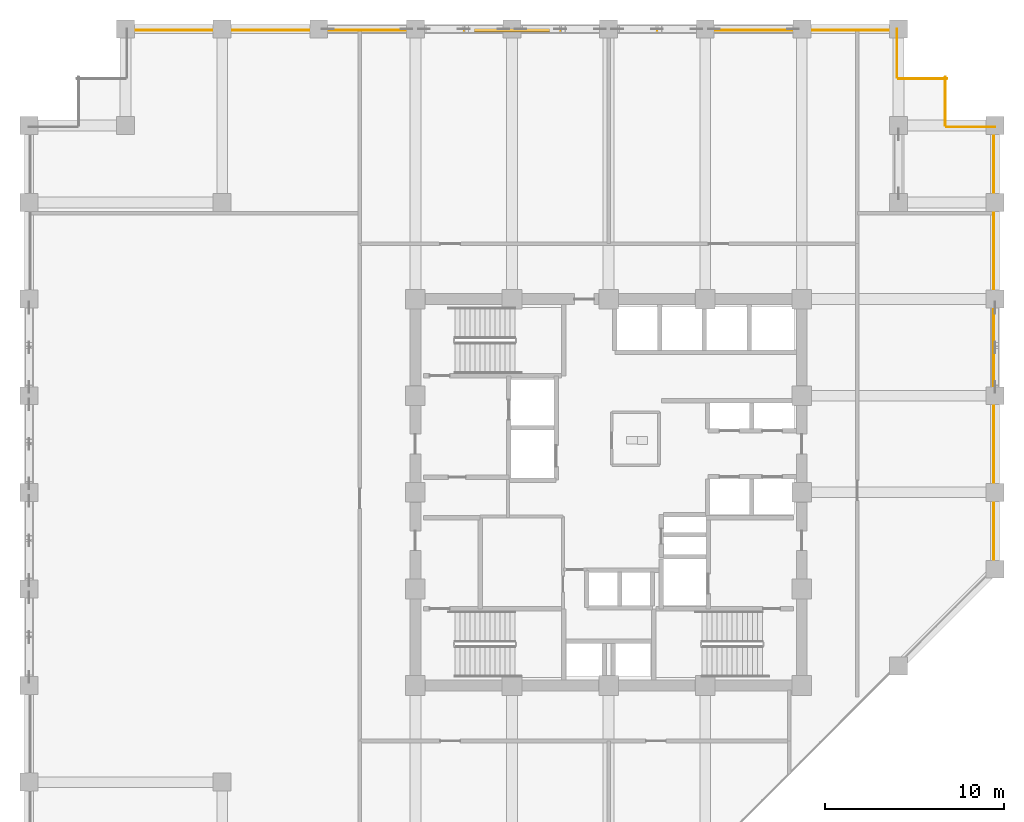
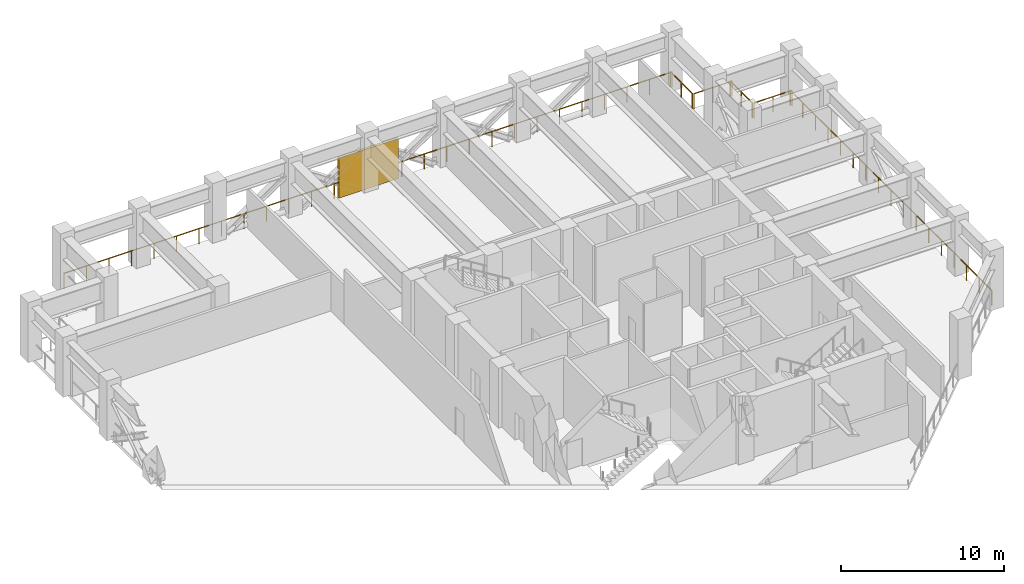
# One storey, part 11 of 12: 6 railings, 1 shading device.
"""IFC4 building model written with IfcOpenShell, lengths in metres."""

from ifc_helpers import new_model, si_unit, direction, frame, origin, origin_2d, place, context, subcontext, project, spatial, rectangle, circle, extrude, material, type_object, element, save


model = new_model("IFC4")

# Units and contexts
model_context = context("Model", 3, precision=1e-05, world=origin(), true_north=direction((0.0, 1.0)))
body_context = subcontext(model_context, "Body", "Model", "MODEL_VIEW")
ifc_project = project(units=[si_unit("LENGTHUNIT", "METRE"), si_unit("AREAUNIT", "SQUARE_METRE"), si_unit("VOLUMEUNIT", "CUBIC_METRE"), si_unit("PLANEANGLEUNIT", "RADIAN"), si_unit("MASSUNIT", "GRAM", prefix="KILO")], contexts=[model_context])

# Site, building, storey
site_placement = place(None, origin())
site = spatial("IfcSite", under=ifc_project, at=site_placement, CompositionType="ELEMENT")
building_placement = place(site_placement, origin())
building = spatial("IfcBuilding", under=site, at=building_placement, Name="Surkhivell Harbour Commons", CompositionType="ELEMENT")
storey_placement = place(building_placement, frame((0.0, 0.0, 166.5)))
storey = spatial("IfcBuildingStorey", under=building, at=storey_placement, Name="L43", CompositionType="ELEMENT", Elevation=166.5)

# Railings
ifc_material_1 = material(Name="Laminated safety glass and stainless steel S355 balustrade", Category="steel")
railing_type = type_object("IfcRailingType", Name="RAL-BAL-1150", PredefinedType="BALUSTRADE", material=ifc_material_1)
railing_1_placement = place(storey_placement, frame((21.52001953125, -4.300048828125, 0.0)))
element("IfcRailing", 1, at=railing_1_placement, inside=storey, type_object=railing_type, Name="L43 Perimeter Safety Guard 03", PredefinedType="BALUSTRADE", context=body_context, shape_type="SweptSolid", body=[
    extrude(circle(Radius=0.02392578125, at=origin_2d()), frame((0.0, 0.0, 1.1259765625), z_axis=(0.0, 1.0, 0.0), x_axis=(-1.0, 0.0, 0.0)), (0.0, 0.0, 1.0), 24.800048828125),
    extrude(circle(Radius=0.02099609375, at=origin_2d()), origin(), (0.0, 0.0, 1.0), 1.101806640625),
    extrude(circle(Radius=0.02099609375, at=origin_2d()), frame((0.0, 1.550048828125, 0.0)), (0.0, 0.0, 1.0), 1.101806640625),
    extrude(circle(Radius=0.02099609375, at=origin_2d()), frame((0.0, 3.10009765625, 0.0)), (0.0, 0.0, 1.0), 1.101806640625),
    extrude(circle(Radius=0.02099609375, at=origin_2d()), frame((0.0, 4.64990234375, 0.0)), (0.0, 0.0, 1.0), 1.101806640625),
    extrude(circle(Radius=0.02099609375, at=origin_2d()), frame((0.0, 6.199951171875, 0.0)), (0.0, 0.0, 1.0), 1.101806640625),
    extrude(circle(Radius=0.02099609375, at=origin_2d()), frame((0.0, 7.75, 0.0)), (0.0, 0.0, 1.0), 1.101806640625),
    extrude(circle(Radius=0.02099609375, at=origin_2d()), frame((0.0, 9.300048828125, 0.0)), (0.0, 0.0, 1.0), 1.101806640625),
    extrude(circle(Radius=0.02099609375, at=origin_2d()), frame((0.0, 10.85009765625, 0.0)), (0.0, 0.0, 1.0), 1.101806640625),
    extrude(circle(Radius=0.02099609375, at=origin_2d()), frame((0.0, 12.39990234375, 0.0)), (0.0, 0.0, 1.0), 1.101806640625),
    extrude(circle(Radius=0.02099609375, at=origin_2d()), frame((0.0, 13.949951171875, 0.0)), (0.0, 0.0, 1.0), 1.101806640625),
    extrude(circle(Radius=0.02099609375, at=origin_2d()), frame((0.0, 15.5, 0.0)), (0.0, 0.0, 1.0), 1.101806640625),
    extrude(circle(Radius=0.02099609375, at=origin_2d()), frame((0.0, 17.050048828125, 0.0)), (0.0, 0.0, 1.0), 1.101806640625),
    extrude(circle(Radius=0.02099609375, at=origin_2d()), frame((0.0, 18.60009765625, 0.0)), (0.0, 0.0, 1.0), 1.101806640625),
    extrude(circle(Radius=0.02099609375, at=origin_2d()), frame((0.0, 20.150146484375, 0.0)), (0.0, 0.0, 1.0), 1.101806640625),
    extrude(circle(Radius=0.02099609375, at=origin_2d()), frame((0.0, 21.699951171875, 0.0)), (0.0, 0.0, 1.0), 1.101806640625),
    extrude(circle(Radius=0.02099609375, at=origin_2d()), frame((0.0, 23.25, 0.0)), (0.0, 0.0, 1.0), 1.101806640625),
    extrude(circle(Radius=0.02099609375, at=origin_2d()), frame((0.0, 24.800048828125, 0.0)), (0.0, 0.0, 1.0), 1.101806640625),
])
railing_2_placement = place(storey_placement, frame((21.60009765625, 20.419921875, 0.0)))
element("IfcRailing", 2, at=railing_2_placement, inside=storey, type_object=railing_type, Name="L43 Perimeter Safety Guard 04", PredefinedType="BALUSTRADE", context=body_context, shape_type="SweptSolid", body=[
    extrude(circle(Radius=0.02392578125, at=origin_2d()), frame((0.0, 0.0, 1.1259765625), z_axis=(-1.0, 0.0, 0.0), x_axis=(0.0, -1.0, 0.0)), (0.0, 0.0, 1.0), 2.7001953125),
    extrude(circle(Radius=0.02099609375, at=origin_2d()), origin(), (0.0, 0.0, 1.0), 1.101806640625),
    extrude(circle(Radius=0.02099609375, at=origin_2d()), frame((-1.35009765625, 0.0, 0.0)), (0.0, 0.0, 1.0), 1.101806640625),
    extrude(circle(Radius=0.02099609375, at=origin_2d()), frame((-2.7001953125, 0.0, 0.0)), (0.0, 0.0, 1.0), 1.101806640625),
])
railing_3_placement = place(storey_placement, frame((18.820068359375, 20.5, 0.0)))
element("IfcRailing", 3, at=railing_3_placement, inside=storey, type_object=railing_type, Name="L43 Perimeter Safety Guard 05", PredefinedType="BALUSTRADE", context=body_context, shape_type="SweptSolid", body=[
    extrude(circle(Radius=0.02392578125, at=origin_2d()), frame((0.0, 0.0, 1.1259765625), z_axis=(0.0, 1.0, 0.0), x_axis=(-1.0, 0.0, 0.0)), (0.0, 0.0, 1.0), 2.699951171875),
    extrude(circle(Radius=0.02099609375, at=origin_2d()), origin(), (0.0, 0.0, 1.0), 1.101806640625),
    extrude(circle(Radius=0.02099609375, at=origin_2d()), frame((0.0, 1.35009765625, 0.0)), (0.0, 0.0, 1.0), 1.101806640625),
    extrude(circle(Radius=0.02099609375, at=origin_2d()), frame((0.0, 2.699951171875, 0.0)), (0.0, 0.0, 1.0), 1.101806640625),
])
railing_4_placement = place(storey_placement, frame((18.89990234375, 23.1201171875, 0.0)))
element("IfcRailing", 4, at=railing_4_placement, inside=storey, type_object=railing_type, Name="L43 Perimeter Safety Guard 06", PredefinedType="BALUSTRADE", context=body_context, shape_type="SweptSolid", body=[
    extrude(circle(Radius=0.02392578125, at=origin_2d()), frame((0.0, 0.0, 1.1259765625), z_axis=(-1.0, 0.0, 0.0), x_axis=(0.0, -1.0, 0.0)), (0.0, 0.0, 1.0), 2.699951171875),
    extrude(circle(Radius=0.02099609375, at=origin_2d()), origin(), (0.0, 0.0, 1.0), 1.101806640625),
    extrude(circle(Radius=0.02099609375, at=origin_2d()), frame((-1.35009765625, 0.0, 0.0)), (0.0, 0.0, 1.0), 1.101806640625),
    extrude(circle(Radius=0.02099609375, at=origin_2d()), frame((-2.699951171875, 0.0, 0.0)), (0.0, 0.0, 1.0), 1.101806640625),
])
railing_5_placement = place(storey_placement, frame((16.1201171875, 23.199951171875, 0.0)))
element("IfcRailing", 5, at=railing_5_placement, inside=storey, type_object=railing_type, Name="L43 Perimeter Safety Guard 07", PredefinedType="BALUSTRADE", context=body_context, shape_type="SweptSolid", body=[
    extrude(circle(Radius=0.02392578125, at=origin_2d()), frame((0.0, 0.0, 1.1259765625), z_axis=(0.0, 1.0, 0.0), x_axis=(-1.0, 0.0, 0.0)), (0.0, 0.0, 1.0), 2.699951171875),
    extrude(circle(Radius=0.02099609375, at=origin_2d()), origin(), (0.0, 0.0, 1.0), 1.101806640625),
    extrude(circle(Radius=0.02099609375, at=origin_2d()), frame((0.0, 1.35009765625, 0.0)), (0.0, 0.0, 1.0), 1.101806640625),
    extrude(circle(Radius=0.02099609375, at=origin_2d()), frame((0.0, 2.699951171875, 0.0)), (0.0, 0.0, 1.0), 1.101806640625),
])
railing_6_placement = place(storey_placement, frame((16.199951171875, 25.820068359375, 0.0)))
element("IfcRailing", 6, at=railing_6_placement, inside=storey, type_object=railing_type, Name="L43 Perimeter Safety Guard 08", PredefinedType="BALUSTRADE", context=body_context, shape_type="SweptSolid", body=[
    extrude(circle(Radius=0.02392578125, at=origin_2d()), frame((0.0, 0.0, 1.1259765625), z_axis=(-1.0, 0.0, 0.0), x_axis=(0.0, -1.0, 0.0)), (0.0, 0.0, 1.0), 43.199951171875),
    extrude(circle(Radius=0.02099609375, at=origin_2d()), origin(), (0.0, 0.0, 1.0), 1.101806640625),
    extrude(circle(Radius=0.02099609375, at=origin_2d()), frame((-1.60009765625, 0.0, 0.0)), (0.0, 0.0, 1.0), 1.101806640625),
    extrude(circle(Radius=0.02099609375, at=origin_2d()), frame((-3.199951171875, 0.0, 0.0)), (0.0, 0.0, 1.0), 1.101806640625),
    extrude(circle(Radius=0.02099609375, at=origin_2d()), frame((-4.800048828125, 0.0, 0.0)), (0.0, 0.0, 1.0), 1.101806640625),
    extrude(circle(Radius=0.02099609375, at=origin_2d()), frame((-6.39990234375, 0.0, 0.0)), (0.0, 0.0, 1.0), 1.101806640625),
    extrude(circle(Radius=0.02099609375, at=origin_2d()), frame((-8.0, 0.0, 0.0)), (0.0, 0.0, 1.0), 1.101806640625),
    extrude(circle(Radius=0.02099609375, at=origin_2d()), frame((-9.60009765625, 0.0, 0.0)), (0.0, 0.0, 1.0), 1.101806640625),
    extrude(circle(Radius=0.02099609375, at=origin_2d()), frame((-11.199951171875, 0.0, 0.0)), (0.0, 0.0, 1.0), 1.101806640625),
    extrude(circle(Radius=0.02099609375, at=origin_2d()), frame((-12.800048828125, 0.0, 0.0)), (0.0, 0.0, 1.0), 1.101806640625),
    extrude(circle(Radius=0.02099609375, at=origin_2d()), frame((-14.39990234375, 0.0, 0.0)), (0.0, 0.0, 1.0), 1.101806640625),
    extrude(circle(Radius=0.02099609375, at=origin_2d()), frame((-16.0, 0.0, 0.0)), (0.0, 0.0, 1.0), 1.101806640625),
    extrude(circle(Radius=0.02099609375, at=origin_2d()), frame((-17.60009765625, 0.0, 0.0)), (0.0, 0.0, 1.0), 1.101806640625),
    extrude(circle(Radius=0.02099609375, at=origin_2d()), frame((-19.199951171875, 0.0, 0.0)), (0.0, 0.0, 1.0), 1.101806640625),
    extrude(circle(Radius=0.02099609375, at=origin_2d()), frame((-20.800048828125, 0.0, 0.0)), (0.0, 0.0, 1.0), 1.101806640625),
    extrude(circle(Radius=0.02099609375, at=origin_2d()), frame((-22.39990234375, 0.0, 0.0)), (0.0, 0.0, 1.0), 1.101806640625),
    extrude(circle(Radius=0.02099609375, at=origin_2d()), frame((-24.0, 0.0, 0.0)), (0.0, 0.0, 1.0), 1.101806640625),
    extrude(circle(Radius=0.02099609375, at=origin_2d()), frame((-25.599853515625, 0.0, 0.0)), (0.0, 0.0, 1.0), 1.101806640625),
    extrude(circle(Radius=0.02099609375, at=origin_2d()), frame((-27.199951171875, 0.0, 0.0)), (0.0, 0.0, 1.0), 1.101806640625),
    extrude(circle(Radius=0.02099609375, at=origin_2d()), frame((-28.800048828125, 0.0, 0.0)), (0.0, 0.0, 1.0), 1.101806640625),
    extrude(circle(Radius=0.02099609375, at=origin_2d()), frame((-30.39990234375, 0.0, 0.0)), (0.0, 0.0, 1.0), 1.101806640625),
    extrude(circle(Radius=0.02099609375, at=origin_2d()), frame((-32.0, 0.0, 0.0)), (0.0, 0.0, 1.0), 1.101806640625),
    extrude(circle(Radius=0.02099609375, at=origin_2d()), frame((-33.599853515625, 0.0, 0.0)), (0.0, 0.0, 1.0), 1.101806640625),
    extrude(circle(Radius=0.02099609375, at=origin_2d()), frame((-35.199951171875, 0.0, 0.0)), (0.0, 0.0, 1.0), 1.101806640625),
    extrude(circle(Radius=0.02099609375, at=origin_2d()), frame((-36.800048828125, 0.0, 0.0)), (0.0, 0.0, 1.0), 1.101806640625),
    extrude(circle(Radius=0.02099609375, at=origin_2d()), frame((-38.39990234375, 0.0, 0.0)), (0.0, 0.0, 1.0), 1.101806640625),
    extrude(circle(Radius=0.02099609375, at=origin_2d()), frame((-40.0, 0.0, 0.0)), (0.0, 0.0, 1.0), 1.101806640625),
    extrude(circle(Radius=0.02099609375, at=origin_2d()), frame((-41.599853515625, 0.0, 0.0)), (0.0, 0.0, 1.0), 1.101806640625),
    extrude(circle(Radius=0.02099609375, at=origin_2d()), frame((-43.199951171875, 0.0, 0.0)), (0.0, 0.0, 1.0), 1.101806640625),
])

# Shading device
ifc_material_2 = material(Name="Pale-metal acoustic weather louvre assembly", Category="aluminium")
shading_device_type = type_object("IfcShadingDeviceType", Name="SHD-LOUV-JAL", PredefinedType="JALOUSIE", material=ifc_material_2)
shading_device_placement = place(storey_placement, frame((-5.39990234375, 25.820068359375, 0.0), z_axis=(0.0, 0.0, 1.0), x_axis=(1.0, 0.0, 0.0)))
element("IfcShadingDevice", 7, at=shading_device_placement, inside=storey, type_object=shading_device_type, Name="L43 Plant Acoustic Louvre Screen LV-08", PredefinedType="JALOUSIE", context=body_context, shape_type="SweptSolid", body=[
    extrude(rectangle(XDim=4.199951171875, YDim=0.179931640625, at=origin_2d()), origin(), (0.0, 0.0, 1.0), 3.0),
])

save(model, "model.ifc")
